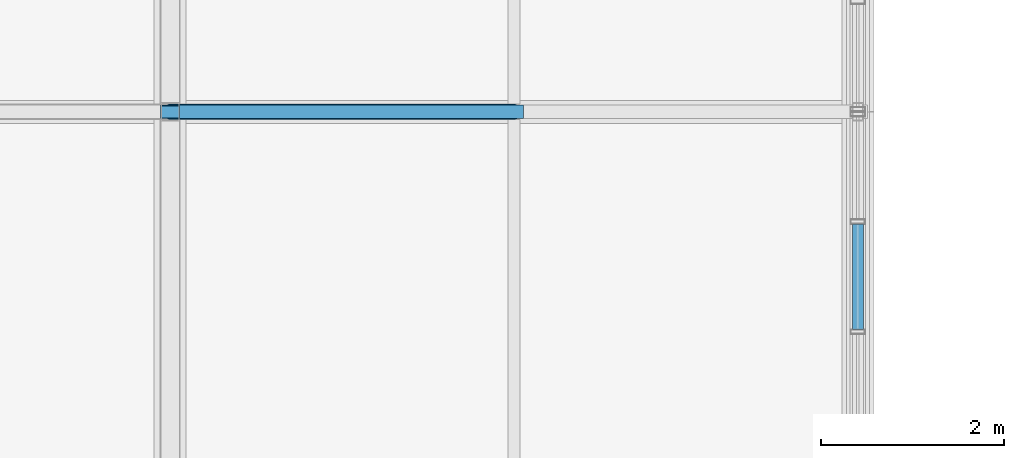
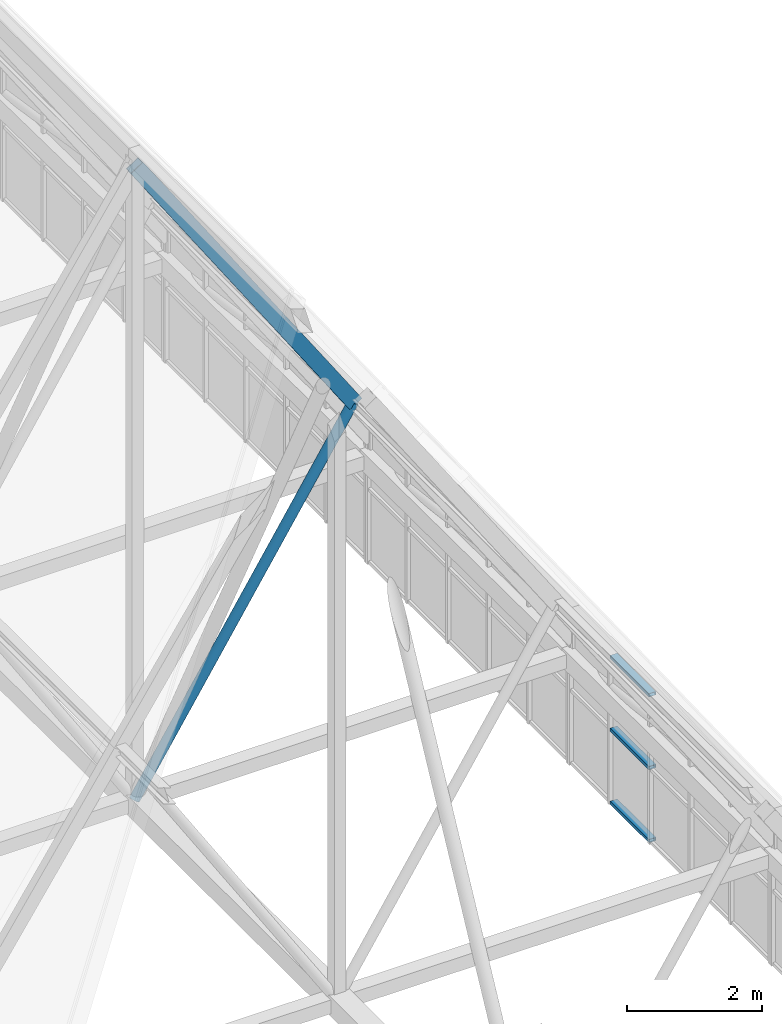
# One storey, part 231 of 324: 5 members, 1 element without a shape of its own.
"""IFC4 building model written with IfcOpenShell, lengths in metres."""

from ifc_helpers import new_model, si_unit, direction, frame, origin, origin_2d, place, context, subcontext, project, spatial, hollow_rectangle, hollow_circle, extrude, material, layer, layer_set, material_profile, profile_set, type_object, element, aggregate, save


model = new_model("IFC4")

# Units and contexts
model_context = context("Model", 3, precision=1e-05, world=origin(), true_north=direction((0.0, 1.0)))
body_context = subcontext(model_context, "Body", "Model", "MODEL_VIEW")
ifc_project = project(units=[si_unit("LENGTHUNIT", "METRE"), si_unit("AREAUNIT", "SQUARE_METRE"), si_unit("VOLUMEUNIT", "CUBIC_METRE"), si_unit("PLANEANGLEUNIT", "RADIAN"), si_unit("MASSUNIT", "GRAM", prefix="KILO")], contexts=[model_context])

# Site, building, storey
site_placement = place(None, origin())
site = spatial("IfcSite", under=ifc_project, at=site_placement, CompositionType="ELEMENT")
building_placement = place(site_placement, origin())
building = spatial("IfcBuilding", under=site, at=building_placement, Name="Solvenia Promenade Tram Depot", CompositionType="ELEMENT")
storey_placement = place(building_placement, frame((0.0, 0.0, 4.5)))
storey = spatial("IfcBuildingStorey", under=building, at=storey_placement, Name="L01", CompositionType="ELEMENT", Elevation=4.5)

# Curtain wall, members
ifc_material_1 = material(Name="Anodized aluminium AW-6063 T6", Category="aluminium")
ifc_layer = layer(ifc_material_1, 0.159912109375, Name="Anodized aluminium AW-6063 T6", Category="aluminium")
ifc_layer_set = layer_set([ifc_layer], Name="Anodized aluminium AW-6063 T6")
curtain_wall_type = type_object("IfcCurtainWallType", Name="CW-Channel-1200", PredefinedType="NOTDEFINED", material=ifc_layer_set)
curtain_wall_placement = place(storey_placement, origin())
curtain_wall = element("IfcCurtainWall", 1, at=curtain_wall_placement, inside=storey, type_object=curtain_wall_type, Name="Curtain Wall CW-V1E-06", PredefinedType="NOTDEFINED")
ifc_material_profile_1 = material_profile(ifc_material_1, hollow_rectangle(XDim=0.1201171875, YDim=0.06005859375, WallThickness=0.00390625, at=origin_2d()), Name="ALU-T1", Category="aluminium")
ifc_profile_set_1 = profile_set([ifc_material_profile_1], Name="Anodized aluminium AW-6063 T6")
member_type_1 = type_object("IfcMemberType", Name="CWT-Transom-1", PredefinedType="USERDEFINED", material=ifc_profile_set_1)
member_1_placement = place(storey_placement, frame((150.0, 99.6259765625, 0.72998046875), z_axis=(0.0, 1.0, 0.0), x_axis=(-1.0, 0.0, 0.0)))
member_1 = element("IfcMember", 2, at=member_1_placement, type_object=member_type_1, Name="CW-1 transom 4.1", ObjectType="TRANSOM", PredefinedType="USERDEFINED", context=body_context, shape_type="SweptSolid", body=[
    extrude(hollow_rectangle(XDim=0.1201171875, YDim=0.06005859375, WallThickness=0.00390625, at=origin_2d()), origin(), (0.0, 0.0, 1.0), 1.14794921875),
])
member_2_placement = place(storey_placement, frame((150.0, 99.6259765625, 2.050048828125), z_axis=(0.0, 1.0, 0.0), x_axis=(-1.0, 0.0, 0.0)))
member_2 = element("IfcMember", 3, at=member_2_placement, type_object=member_type_1, Name="CW-1 transom 4.2", ObjectType="TRANSOM", PredefinedType="USERDEFINED", context=body_context, shape_type="SweptSolid", body=[
    extrude(hollow_rectangle(XDim=0.1201171875, YDim=0.06005859375, WallThickness=0.00390625, at=origin_2d()), origin(), (0.0, 0.0, 1.0), 1.14794921875),
])
member_3_placement = place(storey_placement, frame((150.0, 99.6259765625, 3.3701171875), z_axis=(0.0, 1.0, 0.0), x_axis=(-1.0, 0.0, 0.0)))
member_3 = element("IfcMember", 4, at=member_3_placement, type_object=member_type_1, Name="CW-1 transom 4.3", ObjectType="TRANSOM", PredefinedType="USERDEFINED", context=body_context, shape_type="SweptSolid", body=[
    extrude(hollow_rectangle(XDim=0.1201171875, YDim=0.06005859375, WallThickness=0.00390625, at=origin_2d()), origin(), (0.0, 0.0, 1.0), 1.14794921875),
])
aggregate(curtain_wall, [member_1, member_2, member_3])

# Members
ifc_material_2 = material(Name="Structural steel ASTM A500 Gr. C", Category="steel")
ifc_material_profile_2 = material_profile(ifc_material_2, hollow_rectangle(XDim=0.14990234375, YDim=0.25, WallThickness=0.010009765625, at=origin_2d()), Name="HSS250x150x10", Category="steel")
ifc_profile_set_2 = profile_set([ifc_material_profile_2], Name="Structural steel ASTM A500 Gr. C")
member_type_2 = type_object("IfcMemberType", Name="Chord-HSS250x150x10", PredefinedType="CHORD", material=ifc_profile_set_2)
member_4_placement = place(storey_placement, frame((142.5, 102.0, 14.132080078125), z_axis=(0.557259486914, 0.0, -0.83033840345), x_axis=(0.0, 1.0, 0.0)))
element("IfcMember", 5, at=member_4_placement, inside=storey, type_object=member_type_2, Name="Zigzag Gable 10 East Upper Rafter", PredefinedType="CHORD", context=body_context, shape_type="SweptSolid", body=[
    extrude(hollow_rectangle(XDim=0.14990234375, YDim=0.25, WallThickness=0.010009765625, at=origin_2d()), origin(), (0.0, 0.0, 1.0), 6.729248046875),
])
ifc_material_profile_3 = material_profile(ifc_material_2, hollow_circle(Radius=0.084228515625, WallThickness=0.008056640625, at=origin_2d()), Name="CHS168.3x8", Category="steel")
ifc_profile_set_3 = profile_set([ifc_material_profile_3], Name="Structural steel ASTM A500 Gr. C")
member_type_3 = type_object("IfcMemberType", Name="WebDiag-CHS168x8", PredefinedType="BRACE", material=ifc_profile_set_3)
member_5_placement = place(storey_placement, frame((142.5, 102.0, 2.656005859375), z_axis=(0.537162844813, 0.0, 0.843478558206), x_axis=(0.0, 1.0, 0.0)))
element("IfcMember", 6, at=member_5_placement, inside=storey, type_object=member_type_3, Name="Zigzag Gable 10 East Knee Strut", PredefinedType="BRACE", context=body_context, shape_type="SweptSolid", body=[
    extrude(hollow_circle(Radius=0.084228515625, WallThickness=0.008056640625, at=origin_2d()), origin(), (0.0, 0.0, 1.0), 6.981201171875),
])

save(model, "model.ifc")
